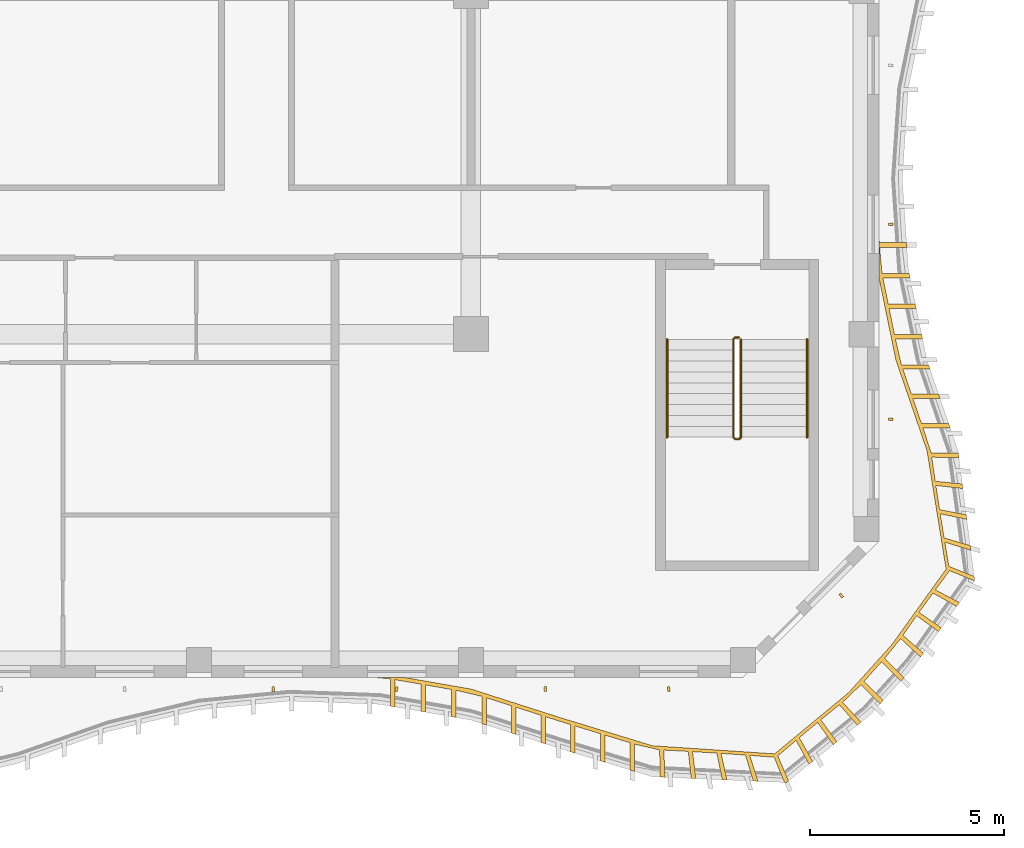
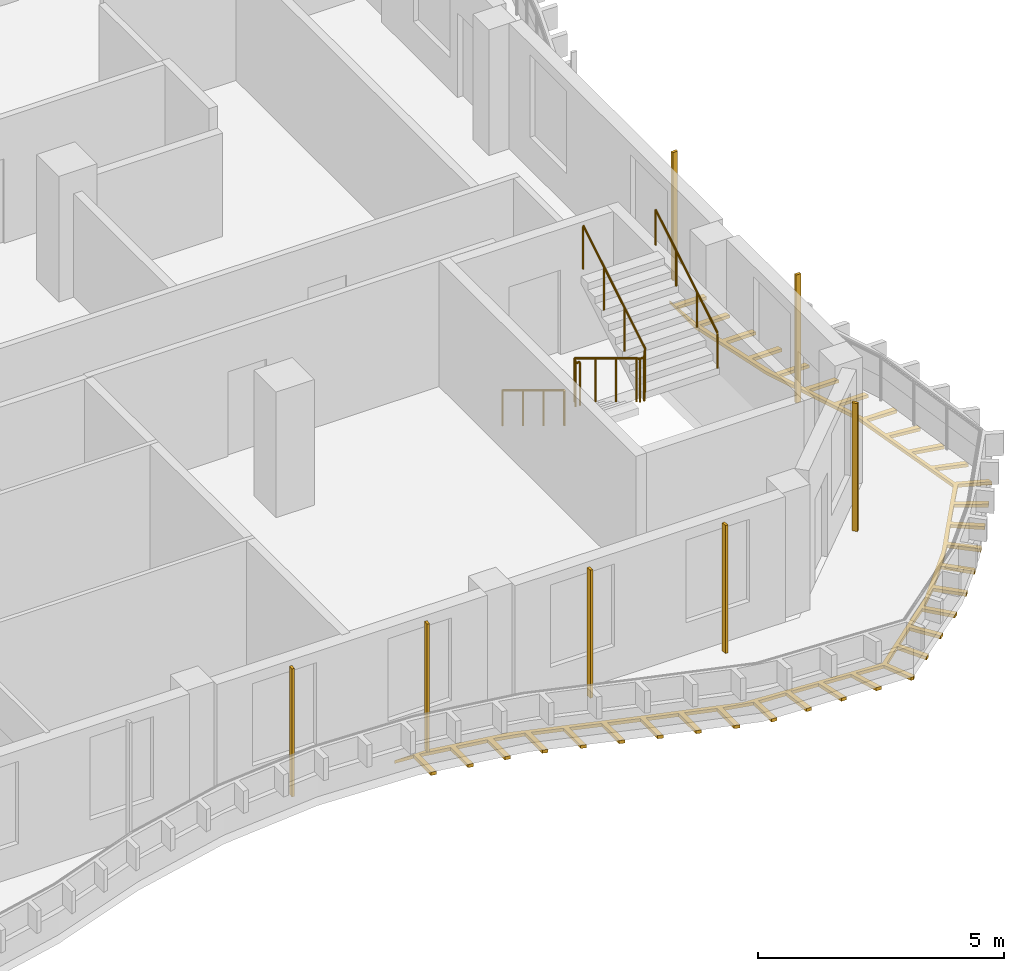
# One storey, part 15 of 16: 8 shading devices, 3 railings.
"""IFC4 building model written with IfcOpenShell, lengths in metres."""

from ifc_helpers import new_model, si_unit, direction, frame, origin, origin_2d, place, context, subcontext, project, spatial, polyline, rectangle, circle, outline, extrude, source, transform, mapped, material, layer, layer_set, material_profile, profile_set, type_object, element, save


model = new_model("IFC4")

# Units and contexts
model_context = context("Model", 3, precision=1e-05, world=origin(), true_north=direction((0.0, 1.0)))
body_context = subcontext(model_context, "Body", "Model", "MODEL_VIEW")
ifc_project = project(units=[si_unit("LENGTHUNIT", "METRE"), si_unit("AREAUNIT", "SQUARE_METRE"), si_unit("VOLUMEUNIT", "CUBIC_METRE"), si_unit("PLANEANGLEUNIT", "RADIAN"), si_unit("MASSUNIT", "GRAM", prefix="KILO")], contexts=[model_context])

# Site, building, storey
site_placement = place(None, origin())
site = spatial("IfcSite", under=ifc_project, at=site_placement, CompositionType="ELEMENT")
building_placement = place(site_placement, origin())
building = spatial("IfcBuilding", under=site, at=building_placement, Name="Kilnfold Tower and Market Hall", CompositionType="ELEMENT")
storey_placement = place(building_placement, frame((0.0, 0.0, 284.0)))
storey = spatial("IfcBuildingStorey", under=building, at=storey_placement, Name="L70", CompositionType="ELEMENT", Elevation=284.0)

# Railings
ifc_material_1 = material(Name="Stainless steel 316", Category="steel")
railing_type_1 = type_object("IfcRailingType", Name="CORE STAIR GUARD 1100", PredefinedType="GUARDRAIL", material=ifc_material_1)
railing_1_placement = place(storey_placement, frame((19.89990234375, -9.75, 0.0)))
element("IfcRailing", 1, at=railing_1_placement, inside=storey, type_object=railing_type_1, Name="L70 ST4 stair guard 1", PredefinedType="GUARDRAIL", context=body_context, shape_type="SweptSolid", body=[
    extrude(circle(Radius=0.02392578125, at=origin_2d()), frame((0.0, 0.0, 1.076171875), z_axis=(-1.0, 0.0, 0.0), x_axis=(0.0, -1.0, 0.0)), (0.0, 0.0, 1.0), 0.099853515625),
    extrude(circle(Radius=0.02392578125, at=origin_2d()), frame((-0.099853515625, 0.0, 1.076171875), z_axis=(-0.271895245746, -0.271895245746, 0.923117517265), x_axis=(0.707106781187, -0.707106781187, 0.0)), (0.0, 0.0, 1.0), 0.18408203125),
    extrude(circle(Radius=0.02392578125, at=origin_2d()), frame((-0.14990234375, -0.050048828125, 1.24609375), z_axis=(0.0, -0.85478489116, 0.518982456201), x_axis=(1.0, 0.0, 0.0)), (0.0, 0.0, 1.0), 2.9482421875),
    extrude(circle(Radius=0.02392578125, at=origin_2d()), frame((-0.14990234375, -2.570068359375, 2.77587890625), z_axis=(0.707106781187, -0.707106781187, 0.0), x_axis=(0.707106781187, 0.707106781187, 0.0)), (0.0, 0.0, 1.0), 0.07080078125),
    extrude(circle(Radius=0.02392578125, at=origin_2d()), frame((-0.099853515625, -2.6201171875, 2.77587890625), z_axis=(1.0, 0.0, 0.0), x_axis=(0.0, 1.0, 0.0)), (0.0, 0.0, 1.0), 0.099853515625),
    extrude(circle(Radius=0.02392578125, at=origin_2d()), frame((0.0, -2.6201171875, 2.77587890625), z_axis=(0.271562723297, 0.271562723297, 0.923313259209), x_axis=(-0.707106781187, 0.707106781187, 0.0)), (0.0, 0.0, 1.0), 0.184326171875),
    extrude(circle(Radius=0.02392578125, at=origin_2d()), frame((0.050048828125, -2.570068359375, 2.9462890625), z_axis=(0.0, 0.854821627497, 0.518921945155), x_axis=(-1.0, 0.0, 0.0)), (0.0, 0.0, 1.0), 2.947998046875),
    extrude(circle(Radius=0.02099609375, at=origin_2d()), origin(), (0.0, 0.0, 1.0), 1.052001953125),
    extrude(circle(Radius=0.02099609375, at=origin_2d()), frame((-0.099853515625, 0.0, 0.0)), (0.0, 0.0, 1.0), 1.052001953125),
    extrude(circle(Radius=0.02099609375, at=origin_2d()), frame((-0.14990234375, -0.050048828125, 0.169921875)), (0.0, 0.0, 1.0), 1.052001953125),
    extrude(circle(Radius=0.02099609375, at=origin_2d()), frame((-0.14990234375, -0.89013671875, 0.679931640625)), (0.0, 0.0, 1.0), 1.052001953125),
    extrude(circle(Radius=0.02099609375, at=origin_2d()), frame((-0.14990234375, -1.72998046875, 1.18994140625)), (0.0, 0.0, 1.0), 1.052001953125),
    extrude(circle(Radius=0.02099609375, at=origin_2d()), frame((-0.14990234375, -2.570068359375, 1.699951171875)), (0.0, 0.0, 1.0), 1.052001953125),
    extrude(circle(Radius=0.02099609375, at=origin_2d()), frame((-0.099853515625, -2.6201171875, 1.699951171875)), (0.0, 0.0, 1.0), 1.052001953125),
    extrude(circle(Radius=0.02099609375, at=origin_2d()), frame((0.0, -2.6201171875, 1.699951171875)), (0.0, 0.0, 1.0), 1.052001953125),
    extrude(circle(Radius=0.02099609375, at=origin_2d()), frame((0.050048828125, -2.570068359375, 1.8701171875)), (0.0, 0.0, 1.0), 1.052001953125),
    extrude(circle(Radius=0.02099609375, at=origin_2d()), frame((0.050048828125, -1.72998046875, 2.380126953125)), (0.0, 0.0, 1.0), 1.052001953125),
    extrude(circle(Radius=0.02099609375, at=origin_2d()), frame((0.050048828125, -0.89013671875, 2.889892578125)), (0.0, 0.0, 1.0), 1.052001953125),
    extrude(circle(Radius=0.02099609375, at=origin_2d()), frame((0.050048828125, -0.050048828125, 3.39990234375)), (0.0, 0.0, 1.0), 1.052001953125),
])
ifc_material_2 = material(Name="Stainless steel 316", Category="steel")
railing_type_2 = type_object("IfcRailingType", Name="CORE STAIR HANDRAIL 900", PredefinedType="HANDRAIL", material=ifc_material_2)
railing_2_placement = place(storey_placement, frame((18.050048828125, -9.800048828125, 0.169921875)))
element("IfcRailing", 2, at=railing_2_placement, inside=storey, type_object=railing_type_2, Name="L70 ST4 stair handrail 1", PredefinedType="HANDRAIL", context=body_context, shape_type="SweptSolid", body=[
    extrude(circle(Radius=0.02392578125, at=origin_2d()), frame((0.0, 0.0, 0.8759765625), z_axis=(0.0, -0.85478489116, 0.518982456201), x_axis=(1.0, 0.0, 0.0)), (0.0, 0.0, 1.0), 2.9482421875),
    extrude(circle(Radius=0.02099609375, at=origin_2d()), origin(), (0.0, 0.0, 1.0), 0.851806640625),
    extrude(circle(Radius=0.02099609375, at=origin_2d()), frame((0.0, -0.840087890625, 0.510009765625)), (0.0, 0.0, 1.0), 0.851806640625),
    extrude(circle(Radius=0.02099609375, at=origin_2d()), frame((0.0, -1.679931640625, 1.02001953125)), (0.0, 0.0, 1.0), 0.851806640625),
    extrude(circle(Radius=0.02099609375, at=origin_2d()), frame((0.0, -2.52001953125, 1.530029296875)), (0.0, 0.0, 1.0), 0.851806640625),
])
railing_3_placement = place(storey_placement, frame((21.64990234375, -12.320068359375, 1.8701171875)))
element("IfcRailing", 3, at=railing_3_placement, inside=storey, type_object=railing_type_2, Name="L70 ST4 stair handrail 2", PredefinedType="HANDRAIL", context=body_context, shape_type="SweptSolid", body=[
    extrude(circle(Radius=0.02392578125, at=origin_2d()), frame((0.0, 0.0, 0.8759765625), z_axis=(0.0, 0.854821627497, 0.518921945155), x_axis=(-1.0, 0.0, 0.0)), (0.0, 0.0, 1.0), 2.947998046875),
    extrude(circle(Radius=0.02099609375, at=origin_2d()), origin(), (0.0, 0.0, 1.0), 0.851806640625),
    extrude(circle(Radius=0.02099609375, at=origin_2d()), frame((0.0, 0.840087890625, 0.510009765625)), (0.0, 0.0, 1.0), 0.851806640625),
    extrude(circle(Radius=0.02099609375, at=origin_2d()), frame((0.0, 1.679931640625, 1.019775390625)), (0.0, 0.0, 1.0), 0.851806640625),
    extrude(circle(Radius=0.02099609375, at=origin_2d()), frame((0.0, 2.52001953125, 1.52978515625)), (0.0, 0.0, 1.0), 0.851806640625),
])

# Shading devices
ifc_material_3 = material(Name="Terracotta", Category="masonry")
ifc_material_profile = material_profile(ifc_material_3, rectangle(XDim=0.06005859375, YDim=0.1201171875, at=origin_2d()), Name="BAG 60x120")
ifc_profile_set = profile_set([ifc_material_profile], Name="Terracotta")
shading_device_type_1 = type_object("IfcShadingDeviceType", Name="BAGUETTE", PredefinedType="USERDEFINED", material=ifc_profile_set)
shared_shape_1 = source(origin(), body_context, "Body", "SweptSolid", [
    extrude(rectangle(XDim=0.06005859375, YDim=0.1201171875, at=origin_2d()), origin(), (0.0, 0.0, 1.0), 3.179931640625),
])
for number, where, z_axis, x_axis, name in (
    (4, (7.91259765625, -18.800048828125, 0.0), (0.0, 0.0, 1.0), (0.997057169272, -0.076661601884, 0.0), "Terracotta baguette L70 S"),
    (5, (11.08740234375, -18.800048828125, 0.0), (0.0, 0.0, 1.0), (0.992001425153, -0.126226671091, 0.0), "Terracotta baguette L70 S"),
    (6, (14.91259765625, -18.800048828125, 0.0), (0.0, 0.0, 1.0), (0.997057169272, 0.076661601884, 0.0), "Terracotta baguette L70 S"),
    (7, (18.08740234375, -18.800048828125, 0.0), (0.0, 0.0, 1.0), (0.992001425153, 0.126226671091, 0.0), "Terracotta baguette L70 S"),
    (8, (22.52978515625, -16.394287109375, 0.0), (0.0, 0.0, 1.0), (0.792721795513, 0.609583591411, 0.0), "Terracotta baguette L70 SE"),
    (9, (23.800048828125, -11.856689453125, 0.0), (0.0, 0.0, 1.0), (-0.029655776717, 0.999560170729, 0.0), "Terracotta baguette L70 E"),
    (10, (23.800048828125, -6.841796875, 0.0), (0.0, 0.0, 1.0), (-0.087333087516, 0.996179166528, 0.0), "Terracotta baguette L70 E"),
):
    element("IfcShadingDevice", number, at=place(storey_placement, frame(where, z_axis=z_axis, x_axis=x_axis)), inside=storey, type_object=shading_device_type_1, Name=name, ObjectType="BAGUETTE", PredefinedType="USERDEFINED", context=body_context, shape_type="MappedRepresentation", body=[
        mapped(shared_shape_1, transform((0.0, 0.0, 0.0))),
    ])
ifc_material_4 = material(Name="Bronze anodised aluminium", Category="aluminium")
ifc_layer = layer(ifc_material_4, 0.080078125)
ifc_layer_set = layer_set([ifc_layer], Name="Bronze anodised aluminium")
shading_device_type_2 = type_object("IfcShadingDeviceType", Name="BRONZE SLAT SOFFIT 80", PredefinedType="USERDEFINED", material=ifc_layer_set)
shared_shape_2 = source(origin(), body_context, "Body", "SweptSolid", [
    extrude(outline(polyline([(13.0, -18.799072265625), (15.333251953125, -19.54638671875), (17.666748046875, -20.2578125), (20.81494140625, -20.46728515625), (22.72216796875, -18.888916015625), (23.827880859375, -17.6611328125), (25.226318359375, -15.715087890625), (24.735595703125, -12.666748046875), (23.934326171875, -10.333251953125), (23.5, -8.215576171875), (23.5, -7.164306640625), (23.510009765625, -7.313232421875), (24.2099609375, -7.313232421875), (24.218017578125, -7.432861328125), (23.517822265625, -7.432861328125), (23.578125, -8.109375), (24.2783203125, -8.109375), (24.30224609375, -8.226806640625), (23.602294921875, -8.226806640625), (23.739013671875, -8.89306640625), (24.43896484375, -8.89306640625), (24.462890625, -9.010498046875), (23.762939453125, -9.010498046875), (23.899658203125, -9.6767578125), (24.599609375, -9.6767578125), (24.623779296875, -9.794189453125), (23.923828125, -9.794189453125), (24.076416015625, -10.4560546875), (24.7763671875, -10.4560546875), (24.8154296875, -10.569580078125), (24.115478515625, -10.569580078125), (24.336181640625, -11.212646484375), (25.0361328125, -11.212646484375), (25.0751953125, -11.326171875), (24.375244140625, -11.326171875), (24.595947265625, -11.96923828125), (25.2958984375, -11.96923828125), (25.3349609375, -12.082763671875), (24.635009765625, -12.082763671875), (24.843505859375, -12.723876953125), (25.54345703125, -12.728759765625), (25.55859375, -12.847900390625), (24.85888671875, -12.833251953125), (24.948486328125, -13.452880859375), (25.64501953125, -13.5224609375), (25.660400390625, -13.641357421875), (24.96484375, -13.562255859375), (25.059814453125, -14.181640625), (25.746826171875, -14.31591796875), (25.76220703125, -14.434814453125), (25.076904296875, -14.291015625), (25.177001953125, -14.911376953125), (25.848388671875, -15.109375), (25.86376953125, -15.228515625), (25.1953125, -15.02099609375), (25.2998046875, -15.643798828125), (25.9501953125, -15.90283203125), (25.96533203125, -16.021240234375), (25.318115234375, -15.75390625), (24.952880859375, -16.245849609375), (25.5703125, -16.57568359375), (25.50048828125, -16.67333984375), (24.888916015625, -16.332763671875), (24.53125, -16.827392578125), (25.10595703125, -17.22705078125), (25.036376953125, -17.32470703125), (24.46875, -16.9150390625), (24.117431640625, -17.414794921875), (24.6416015625, -17.878662109375), (24.572021484375, -17.976318359375), (24.055908203125, -17.50341796875), (23.6494140625, -18.008544921875), (24.144287109375, -18.50341796875), (24.064208984375, -18.5927734375), (23.569091796875, -18.09765625), (23.114013671875, -18.60302734375), (23.60888671875, -19.097900390625), (23.52880859375, -19.18701171875), (23.03369140625, -18.692138671875), (22.56640625, -19.139404296875), (23.038818359375, -19.65576171875), (22.945556640625, -19.731201171875), (22.481689453125, -19.20703125), (22.005615234375, -19.59228515625), (22.416748046875, -20.15869140625), (22.323486328125, -20.234130859375), (21.921875, -19.660888671875), (21.450439453125, -20.05224609375), (21.794677734375, -20.66162109375), (21.701416015625, -20.7373046875), (21.36767578125, -20.121826171875), (20.898681640625, -20.5205078125), (21.172607421875, -21.164794921875), (21.12109375, -21.206298828125), (21.0673828125, -21.2041015625), (20.80322265625, -20.555908203125), (20.17431640625, -20.50830078125), (20.387939453125, -21.1748046875), (20.26806640625, -21.169677734375), (20.0634765625, -20.500244140625), (19.436767578125, -20.45703125), (19.588623046875, -21.140380859375), (19.46875, -21.13525390625), (19.326416015625, -20.449951171875), (18.700927734375, -20.41162109375), (18.78955078125, -21.10595703125), (18.669677734375, -21.100830078125), (18.590576171875, -20.4052734375), (17.96484375, -20.3720703125), (17.990234375, -21.071533203125), (17.870361328125, -21.06640625), (17.8544921875, -20.36669921875), (17.211181640625, -20.21875), (17.211181640625, -20.918701171875), (17.096435546875, -20.8837890625), (17.096435546875, -20.183837890625), (16.446044921875, -19.985595703125), (16.446044921875, -20.685546875), (16.331298828125, -20.650634765625), (16.331298828125, -19.95068359375), (15.6806640625, -19.752197265625), (15.6806640625, -20.452392578125), (15.56591796875, -20.417236328125), (15.56591796875, -19.71728515625), (14.917236328125, -19.51318359375), (14.917236328125, -20.213134765625), (14.802978515625, -20.176513671875), (14.802978515625, -19.4765625), (14.155517578125, -19.269287109375), (14.155517578125, -19.96923828125), (14.041259765625, -19.9326171875), (14.041259765625, -19.232666015625), (13.3935546875, -19.025146484375), (13.3935546875, -19.72509765625), (13.279296875, -19.6884765625), (13.279296875, -18.988525390625), (12.618896484375, -18.8330078125), (12.618896484375, -19.532958984375), (12.500732421875, -19.512451171875), (12.500732421875, -18.8125), (11.830810546875, -18.696044921875), (11.830810546875, -19.39599609375), (11.71240234375, -19.37548828125), (11.71240234375, -18.675537109375), (11.04248046875, -18.55908203125), (11.04248046875, -19.25927734375), (10.92431640625, -19.238525390625), (10.92431640625, -18.53857421875), (10.489990234375, -18.5), (11.277587890625, -18.5), (13.0, -18.799072265625)])), origin(), (0.0, 0.0, 1.0), 0.080078125),
])
shading_device_placement = place(storey_placement, frame((0.0, 0.0, -0.300048828125)))
element("IfcShadingDevice", 11, at=shading_device_placement, inside=storey, type_object=shading_device_type_2, Name="Balcony soffit slats L70", ObjectType="SLAT", PredefinedType="USERDEFINED", context=body_context, shape_type="MappedRepresentation", body=[
    mapped(shared_shape_2, transform((0.0, 0.0, 0.0))),
])

save(model, "model.ifc")
